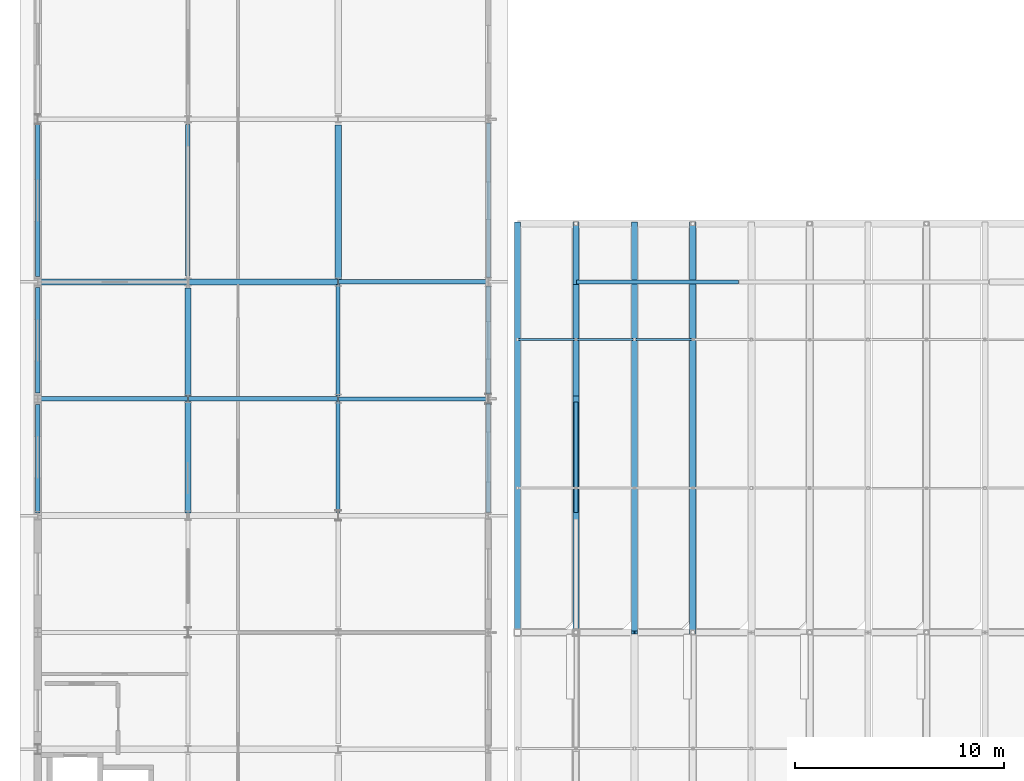
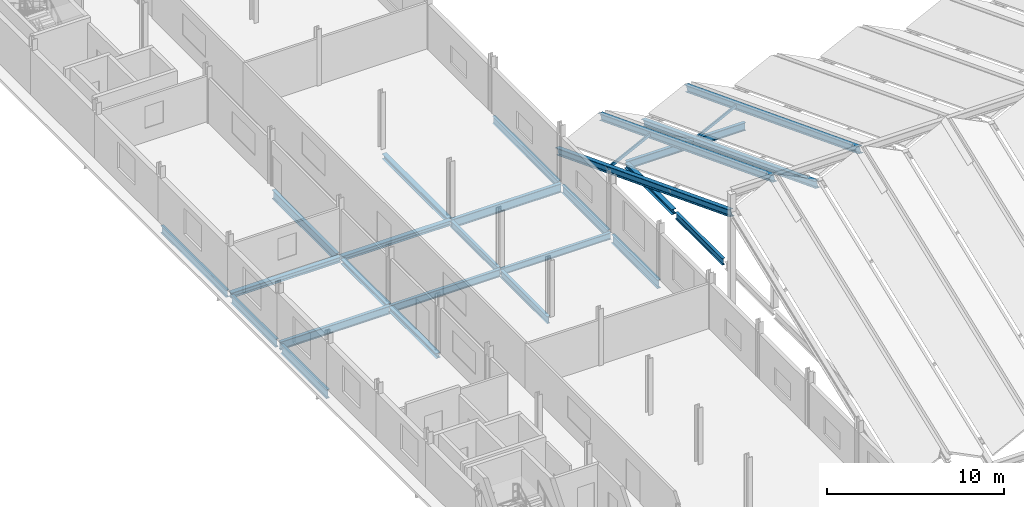
# One storey, part 18 of 49: 25 beams, 3 members.
"""IFC4 building model written with IfcOpenShell, lengths in metres."""

from ifc_helpers import new_model, si_unit, direction, frame, origin, origin_2d, place, context, subcontext, project, spatial, hollow_rectangle, i_section, extrude, material, material_profile, profile_set, type_object, element, save


model = new_model("IFC4")

# Units and contexts
model_context = context("Model", 3, precision=1e-05, world=origin(), true_north=direction((0.0, 1.0)))
body_context = subcontext(model_context, "Body", "Model", "MODEL_VIEW")
ifc_project = project(units=[si_unit("LENGTHUNIT", "METRE"), si_unit("AREAUNIT", "SQUARE_METRE"), si_unit("VOLUMEUNIT", "CUBIC_METRE"), si_unit("PLANEANGLEUNIT", "RADIAN"), si_unit("MASSUNIT", "GRAM", prefix="KILO")], contexts=[model_context])

# Site, building, storey
site_placement = place(None, origin())
site = spatial("IfcSite", under=ifc_project, at=site_placement, CompositionType="ELEMENT")
building_placement = place(site_placement, origin())
building = spatial("IfcBuilding", under=site, at=building_placement, Name="Vinh Khe Railworks Police Headquarters", CompositionType="ELEMENT")
storey_placement = place(building_placement, frame((0.0, 0.0, 17.10009765625)))
storey = spatial("IfcBuildingStorey", under=building, at=storey_placement, Name="L04", CompositionType="ELEMENT", Elevation=17.10009765625)

# Members
ifc_material = material(Name="Steel S355JR", Category="steel")
ifc_material_profile_1 = material_profile(ifc_material, hollow_rectangle(XDim=0.10009765625, YDim=0.179931640625, WallThickness=0.008056640625, at=origin_2d()), Name="RHS 180x100x8")
ifc_profile_set_1 = profile_set([ifc_material_profile_1], Name="Steel S355JR")
member_type_1 = type_object("IfcMemberType", Name="Roof Purlin RHS 180x100x8", PredefinedType="PURLIN", material=ifc_profile_set_1)
member_1_placement = place(storey_placement, frame((29.199951171875, 56.03271484375, 1.947509765625), z_axis=(0.894442788028, 0.0, 0.447182400083), x_axis=(0.0, 1.0, 0.0)))
element("IfcMember", 1, at=member_1_placement, inside=storey, type_object=member_type_1, Name="Folded Roof Purlin 012", PredefinedType="PURLIN", context=body_context, shape_type="SweptSolid", body=[
    extrude(hollow_rectangle(XDim=0.10009765625, YDim=0.179931640625, WallThickness=0.008056640625, at=origin_2d()), origin(), (0.0, 0.0, 1.0), 3.130615234375),
])
ifc_material_profile_2 = material_profile(ifc_material, hollow_rectangle(XDim=0.10009765625, YDim=0.199951171875, WallThickness=0.008056640625, at=origin_2d()), Name="RHS 200x100x8")
ifc_profile_set_2 = profile_set([ifc_material_profile_2], Name="Steel S355JR")
member_type_2 = type_object("IfcMemberType", Name="Roof Purlin RHS 200x100x8", PredefinedType="PURLIN", material=ifc_profile_set_2)
member_2_placement = place(storey_placement, frame((23.60009765625, 56.03271484375, 1.9375), z_axis=(0.894427191, 0.0, 0.4472135955), x_axis=(0.0, 1.0, 0.0)))
element("IfcMember", 2, at=member_2_placement, inside=storey, type_object=member_type_2, Name="Folded Roof Purlin 004", PredefinedType="PURLIN", context=body_context, shape_type="SweptSolid", body=[
    extrude(hollow_rectangle(XDim=0.10009765625, YDim=0.199951171875, WallThickness=0.008056640625, at=origin_2d()), origin(), (0.0, 0.0, 1.0), 3.13037109375),
])
member_3_placement = place(storey_placement, frame((26.39990234375, 56.03271484375, 3.33740234375), z_axis=(0.894442788028, 0.0, -0.447182400083), x_axis=(0.0, 1.0, 0.0)))
element("IfcMember", 3, at=member_3_placement, inside=storey, type_object=member_type_2, Name="Folded Roof Purlin 008", PredefinedType="PURLIN", context=body_context, shape_type="SweptSolid", body=[
    extrude(hollow_rectangle(XDim=0.10009765625, YDim=0.199951171875, WallThickness=0.008056640625, at=origin_2d()), origin(), (0.0, 0.0, 1.0), 3.130615234375),
])

# Beams
ifc_material_profile_3 = material_profile(ifc_material, i_section(OverallWidth=0.300048828125, OverallDepth=0.330078125, WebThickness=0.009521484375, FlangeThickness=0.0166015625, FilletRadius=0.027099609375, at=origin_2d()), Name="HEA 340")
ifc_profile_set_3 = profile_set([ifc_material_profile_3], Name="Steel S355JR")
beam_type_1 = type_object("IfcBeamType", Name="Steel Girder HEA 340", PredefinedType="BEAM", material=ifc_profile_set_3)
beam_1_placement = place(storey_placement, frame((7.820068359375, 58.800048828125, -0.364990234375), z_axis=(1.0, 0.0, 0.0), x_axis=(0.0, 1.0, 0.0)))
element("IfcBeam", 4, at=beam_1_placement, inside=storey, type_object=beam_type_1, Name="Girder BM-L04-EW-SB-16-1310", PredefinedType="BEAM", context=body_context, shape_type="SweptSolid", body=[
    extrude(i_section(OverallWidth=0.300048828125, OverallDepth=0.330078125, WebThickness=0.009521484375, FlangeThickness=0.0166015625, FilletRadius=0.027099609375, at=origin_2d()), origin(), (0.0, 0.0, 1.0), 7.159912109375),
])
beam_2_placement = place(storey_placement, frame((7.800048828125, 53.324951171875, -0.364990234375), z_axis=(0.0, 1.0, 0.0), x_axis=(-1.0, 0.0, 0.0)))
element("IfcBeam", 5, at=beam_2_placement, inside=storey, type_object=beam_type_1, Name="Girder BM-L04-NS-SB-16-1394", PredefinedType="BEAM", context=body_context, shape_type="SweptSolid", body=[
    extrude(i_section(OverallWidth=0.300048828125, OverallDepth=0.330078125, WebThickness=0.009521484375, FlangeThickness=0.0166015625, FilletRadius=0.027099609375, at=origin_2d()), origin(), (0.0, 0.0, 1.0), 5.195068359375),
])
ifc_material_profile_4 = material_profile(ifc_material, i_section(OverallWidth=0.300048828125, OverallDepth=0.35009765625, WebThickness=0.010009765625, FlangeThickness=0.017578125, FilletRadius=0.027099609375, at=origin_2d()), Name="HEA 360")
ifc_profile_set_4 = profile_set([ifc_material_profile_4], Name="Steel S355JR")
beam_type_2 = type_object("IfcBeamType", Name="Steel Girder HEA 360", PredefinedType="BEAM", material=ifc_profile_set_4)
beam_3_placement = place(storey_placement, frame((0.6201171875, 58.800048828125, -0.375), z_axis=(1.0, 0.0, 0.0), x_axis=(0.0, 1.0, 0.0)))
element("IfcBeam", 6, at=beam_3_placement, inside=storey, type_object=beam_type_2, Name="Girder BM-L04-EW-SB-15-1309", PredefinedType="BEAM", context=body_context, shape_type="SweptSolid", body=[
    extrude(i_section(OverallWidth=0.300048828125, OverallDepth=0.35009765625, WebThickness=0.010009765625, FlangeThickness=0.017578125, FilletRadius=0.027099609375, at=origin_2d()), origin(), (0.0, 0.0, 1.0), 7.159912109375),
])
beam_4_placement = place(storey_placement, frame((7.800048828125, 47.735107421875, -0.375), z_axis=(0.0, 1.0, 0.0), x_axis=(-1.0, 0.0, 0.0)))
element("IfcBeam", 7, at=beam_4_placement, inside=storey, type_object=beam_type_2, Name="Girder BM-L04-NS-SB-15-1393", PredefinedType="BEAM", context=body_context, shape_type="SweptSolid", body=[
    extrude(i_section(OverallWidth=0.300048828125, OverallDepth=0.35009765625, WebThickness=0.010009765625, FlangeThickness=0.017578125, FilletRadius=0.027099609375, at=origin_2d()), origin(), (0.0, 0.0, 1.0), 5.33984375),
])
beam_5_placement = place(storey_placement, frame((15.0, 58.925048828125, -0.375), z_axis=(0.0, 1.0, 0.0), x_axis=(-1.0, 0.0, 0.0)))
element("IfcBeam", 8, at=beam_5_placement, inside=storey, type_object=beam_type_2, Name="Girder BM-L04-NS-SB-15-1411", PredefinedType="BEAM", context=body_context, shape_type="SweptSolid", body=[
    extrude(i_section(OverallWidth=0.300048828125, OverallDepth=0.35009765625, WebThickness=0.010009765625, FlangeThickness=0.017578125, FilletRadius=0.027099609375, at=origin_2d()), origin(), (0.0, 0.0, 1.0), 7.39501953125),
])
beam_6_placement = place(storey_placement, frame((26.39990234375, 53.344970703125, -0.375), z_axis=(0.0, 1.0, 0.0), x_axis=(-1.0, 0.0, 0.0)))
element("IfcBeam", 9, at=beam_6_placement, inside=storey, type_object=beam_type_2, Name="Girder BM-L04-NS-SB-15-1441", PredefinedType="BEAM", context=body_context, shape_type="SweptSolid", body=[
    extrude(i_section(OverallWidth=0.300048828125, OverallDepth=0.35009765625, WebThickness=0.010009765625, FlangeThickness=0.017578125, FilletRadius=0.027099609375, at=origin_2d()), origin(), (0.0, 0.0, 1.0), 5.330078125),
])
ifc_material_profile_5 = material_profile(ifc_material, i_section(OverallWidth=0.300048828125, OverallDepth=0.43994140625, WebThickness=0.011474609375, FlangeThickness=0.02099609375, FilletRadius=0.027099609375, at=origin_2d()), Name="HEA 450")
ifc_profile_set_5 = profile_set([ifc_material_profile_5], Name="Steel S355JR")
beam_type_3 = type_object("IfcBeamType", Name="Steel Girder HEA 450", PredefinedType="BEAM", material=ifc_profile_set_5)
for number, where, z_axis, x_axis, name in (
    (10, (26.39990234375, 61.60009765625, 1.208740234375), (0.0, -0.93236035026, 0.361530326893), (1.0, 0.0, 0.0), "Folded Roof Ridge Girder 004 (N)"),
    (11, (32.0, 61.60009765625, 1.208740234375), (0.0, -0.93236035026, 0.361530326893), (1.0, 0.0, 0.0), "Folded Roof Ridge Girder 008 (N)"),
):
    element("IfcBeam", number, at=place(storey_placement, frame(where, z_axis=z_axis, x_axis=x_axis)), inside=storey, type_object=beam_type_3, Name=name, PredefinedType="BEAM", context=body_context, shape_type="SweptSolid", body=[
        extrude(i_section(OverallWidth=0.300048828125, OverallDepth=0.43994140625, WebThickness=0.011474609375, FlangeThickness=0.02099609375, FilletRadius=0.027099609375, at=origin_2d()), origin(), (0.0, 0.0, 1.0), 21.02197265625),
    ])
ifc_material_profile_6 = material_profile(ifc_material, i_section(OverallWidth=0.300048828125, OverallDepth=0.449951171875, WebThickness=0.013916015625, FlangeThickness=0.02587890625, FilletRadius=0.027099609375, at=origin_2d()), Name="HEB 450")
ifc_profile_set_6 = profile_set([ifc_material_profile_6], Name="Steel S355JR")
beam_type_4 = type_object("IfcBeamType", Name="Steel Girder HEB 450", PredefinedType="BEAM", material=ifc_profile_set_6)
for number, where, z_axis, x_axis, name in (
    (12, (23.60009765625, 61.60009765625, -0.191162109375), (0.0, -0.932364264883, 0.361520231204), (1.0, 0.0, 0.0), "Folded Roof Valley Girder 002 (N)"),
    (13, (29.199951171875, 61.60009765625, -0.191162109375), (0.0, -0.932364264883, 0.361520231204), (1.0, 0.0, 0.0), "Folded Roof Valley Girder 006 (N)"),
):
    element("IfcBeam", number, at=place(storey_placement, frame(where, z_axis=z_axis, x_axis=x_axis)), inside=storey, type_object=beam_type_4, Name=name, PredefinedType="BEAM", context=body_context, shape_type="SweptSolid", body=[
        extrude(i_section(OverallWidth=0.300048828125, OverallDepth=0.449951171875, WebThickness=0.013916015625, FlangeThickness=0.02587890625, FilletRadius=0.027099609375, at=origin_2d()), origin(), (0.0, 0.0, 1.0), 21.02197265625),
    ])
ifc_material_profile_7 = material_profile(ifc_material, i_section(OverallWidth=0.18994140625, OverallDepth=0.449951171875, WebThickness=0.009521484375, FlangeThickness=0.0146484375, FilletRadius=0.02099609375, at=origin_2d()), Name="IPE 450")
ifc_profile_set_7 = profile_set([ifc_material_profile_7], Name="Steel S355JR")
beam_type_5 = type_object("IfcBeamType", Name="Steel Girder IPE 450", PredefinedType="BEAM", material=ifc_profile_set_7)
beam_7_placement = place(storey_placement, frame((15.02001953125, 53.199951171875, -0.425048828125), z_axis=(1.0, 0.0, 0.0), x_axis=(0.0, 1.0, 0.0)))
element("IfcBeam", 14, at=beam_7_placement, inside=storey, type_object=beam_type_5, Name="Girder BM-L04-EW-SB-20-1308", PredefinedType="BEAM", context=body_context, shape_type="SweptSolid", body=[
    extrude(i_section(OverallWidth=0.18994140625, OverallDepth=0.449951171875, WebThickness=0.009521484375, FlangeThickness=0.0146484375, FilletRadius=0.02099609375, at=origin_2d()), origin(), (0.0, 0.0, 1.0), 7.159912109375),
])
beam_8_placement = place(storey_placement, frame((15.0, 53.3349609375, -0.425048828125), z_axis=(0.0, 1.0, 0.0), x_axis=(-1.0, 0.0, 0.0)))
element("IfcBeam", 15, at=beam_8_placement, inside=storey, type_object=beam_type_5, Name="Girder BM-L04-NS-SB-20-1410", PredefinedType="BEAM", context=body_context, shape_type="SweptSolid", body=[
    extrude(i_section(OverallWidth=0.18994140625, OverallDepth=0.449951171875, WebThickness=0.009521484375, FlangeThickness=0.0146484375, FilletRadius=0.02099609375, at=origin_2d()), origin(), (0.0, 0.0, 1.0), 5.340087890625),
])
beam_9_placement = place(storey_placement, frame((26.39990234375, 47.7548828125, -0.425048828125), z_axis=(0.0, 1.0, 0.0), x_axis=(-1.0, 0.0, 0.0)))
element("IfcBeam", 16, at=beam_9_placement, inside=storey, type_object=beam_type_5, Name="Girder BM-L04-NS-SB-20-1440", PredefinedType="BEAM", context=body_context, shape_type="SweptSolid", body=[
    extrude(i_section(OverallWidth=0.18994140625, OverallDepth=0.449951171875, WebThickness=0.009521484375, FlangeThickness=0.0146484375, FilletRadius=0.02099609375, at=origin_2d()), origin(), (0.0, 0.0, 1.0), 5.300048828125),
])
ifc_material_profile_8 = material_profile(ifc_material, i_section(OverallWidth=0.199951171875, OverallDepth=0.5, WebThickness=0.01025390625, FlangeThickness=0.01611328125, FilletRadius=0.02099609375, at=origin_2d()), Name="IPE 500")
ifc_profile_set_8 = profile_set([ifc_material_profile_8], Name="Steel S355JR")
beam_type_6 = type_object("IfcBeamType", Name="Steel Girder IPE 500", PredefinedType="BEAM", material=ifc_profile_set_8)
beam_10_placement = place(storey_placement, frame((7.820068359375, 53.199951171875, -0.4501953125), z_axis=(1.0, 0.0, 0.0), x_axis=(0.0, 1.0, 0.0)))
element("IfcBeam", 17, at=beam_10_placement, inside=storey, type_object=beam_type_6, Name="Girder BM-L04-EW-SB-19-1307", PredefinedType="BEAM", context=body_context, shape_type="SweptSolid", body=[
    extrude(i_section(OverallWidth=0.199951171875, OverallDepth=0.5, WebThickness=0.01025390625, FlangeThickness=0.01611328125, FilletRadius=0.02099609375, at=origin_2d()), origin(), (0.0, 0.0, 1.0), 7.159912109375),
])
beam_11_placement = place(storey_placement, frame((0.60009765625, 59.054931640625, -0.4501953125), z_axis=(0.0, 1.0, 0.0), x_axis=(-1.0, 0.0, 0.0)))
element("IfcBeam", 18, at=beam_11_placement, inside=storey, type_object=beam_type_6, Name="Girder BM-L04-NS-SB-19-1379", PredefinedType="BEAM", context=body_context, shape_type="SweptSolid", body=[
    extrude(i_section(OverallWidth=0.199951171875, OverallDepth=0.5, WebThickness=0.01025390625, FlangeThickness=0.01611328125, FilletRadius=0.02099609375, at=origin_2d()), origin(), (0.0, 0.0, 1.0), 7.39501953125),
])
beam_12_placement = place(storey_placement, frame((15.0, 47.75, -0.4501953125), z_axis=(0.0, 1.0, 0.0), x_axis=(-1.0, 0.0, 0.0)))
element("IfcBeam", 19, at=beam_12_placement, inside=storey, type_object=beam_type_6, Name="Girder BM-L04-NS-SB-19-1409", PredefinedType="BEAM", context=body_context, shape_type="SweptSolid", body=[
    extrude(i_section(OverallWidth=0.199951171875, OverallDepth=0.5, WebThickness=0.01025390625, FlangeThickness=0.01611328125, FilletRadius=0.02099609375, at=origin_2d()), origin(), (0.0, 0.0, 1.0), 5.31494140625),
])
beam_13_placement = place(storey_placement, frame((22.199951171875, 59.0048828125, -0.4501953125), z_axis=(0.0, 1.0, 0.0), x_axis=(-1.0, 0.0, 0.0)))
element("IfcBeam", 20, at=beam_13_placement, inside=storey, type_object=beam_type_6, Name="Girder BM-L04-NS-SB-19-1427", PredefinedType="BEAM", context=body_context, shape_type="SweptSolid", body=[
    extrude(i_section(OverallWidth=0.199951171875, OverallDepth=0.5, WebThickness=0.01025390625, FlangeThickness=0.01611328125, FilletRadius=0.02099609375, at=origin_2d()), origin(), (0.0, 0.0, 1.0), 7.4150390625),
])
ifc_material_profile_9 = material_profile(ifc_material, i_section(OverallWidth=0.2099609375, OverallDepth=0.550048828125, WebThickness=0.010986328125, FlangeThickness=0.01708984375, FilletRadius=0.02392578125, at=origin_2d()), Name="IPE 550")
ifc_profile_set_9 = profile_set([ifc_material_profile_9], Name="Steel S355JR")
beam_type_7 = type_object("IfcBeamType", Name="Steel Girder IPE 550", PredefinedType="BEAM", material=ifc_profile_set_9)
beam_14_placement = place(storey_placement, frame((0.6201171875, 53.199951171875, -0.47509765625), z_axis=(1.0, 0.0, 0.0), x_axis=(0.0, 1.0, 0.0)))
element("IfcBeam", 21, at=beam_14_placement, inside=storey, type_object=beam_type_7, Name="Girder BM-L04-EW-SB-18-1306", PredefinedType="BEAM", context=body_context, shape_type="SweptSolid", body=[
    extrude(i_section(OverallWidth=0.2099609375, OverallDepth=0.550048828125, WebThickness=0.010986328125, FlangeThickness=0.01708984375, FilletRadius=0.02392578125, at=origin_2d()), origin(), (0.0, 0.0, 1.0), 7.159912109375),
])
beam_15_placement = place(storey_placement, frame((26.419921875, 58.800048828125, -0.47509765625), z_axis=(1.0, 0.0, 0.0), x_axis=(0.0, 1.0, 0.0)))
element("IfcBeam", 22, at=beam_15_placement, inside=storey, type_object=beam_type_7, Name="Girder BM-L04-EW-SB-18-1312", PredefinedType="BEAM", context=body_context, shape_type="SweptSolid", body=[
    extrude(i_section(OverallWidth=0.2099609375, OverallDepth=0.550048828125, WebThickness=0.010986328125, FlangeThickness=0.01708984375, FilletRadius=0.02392578125, at=origin_2d()), origin(), (0.0, 0.0, 1.0), 7.760009765625),
])
beam_16_placement = place(storey_placement, frame((0.60009765625, 53.47998046875, -0.47509765625), z_axis=(0.0, 1.0, 0.0), x_axis=(-1.0, 0.0, 0.0)))
element("IfcBeam", 23, at=beam_16_placement, inside=storey, type_object=beam_type_7, Name="Girder BM-L04-NS-SB-18-1378", PredefinedType="BEAM", context=body_context, shape_type="SweptSolid", body=[
    extrude(i_section(OverallWidth=0.2099609375, OverallDepth=0.550048828125, WebThickness=0.010986328125, FlangeThickness=0.01708984375, FilletRadius=0.02392578125, at=origin_2d()), origin(), (0.0, 0.0, 1.0), 5.06494140625),
])
beam_17_placement = place(storey_placement, frame((22.199951171875, 53.429931640625, -0.47509765625), z_axis=(0.0, 1.0, 0.0), x_axis=(-1.0, 0.0, 0.0)))
element("IfcBeam", 24, at=beam_17_placement, inside=storey, type_object=beam_type_7, Name="Girder BM-L04-NS-SB-18-1426", PredefinedType="BEAM", context=body_context, shape_type="SweptSolid", body=[
    extrude(i_section(OverallWidth=0.2099609375, OverallDepth=0.550048828125, WebThickness=0.010986328125, FlangeThickness=0.01708984375, FilletRadius=0.02392578125, at=origin_2d()), origin(), (0.0, 0.0, 1.0), 5.1650390625),
])
ifc_material_profile_10 = material_profile(ifc_material, i_section(OverallWidth=0.219970703125, OverallDepth=0.60009765625, WebThickness=0.011962890625, FlangeThickness=0.01904296875, FilletRadius=0.02392578125, at=origin_2d()), Name="IPE 600")
ifc_profile_set_10 = profile_set([ifc_material_profile_10], Name="Steel S355JR")
beam_type_8 = type_object("IfcBeamType", Name="Steel Girder IPE 600", PredefinedType="BEAM", material=ifc_profile_set_10)
beam_18_placement = place(storey_placement, frame((15.02001953125, 58.800048828125, -0.5), z_axis=(1.0, 0.0, 0.0), x_axis=(0.0, 1.0, 0.0)))
element("IfcBeam", 25, at=beam_18_placement, inside=storey, type_object=beam_type_8, Name="Girder BM-L04-EW-SB-17-1311", PredefinedType="BEAM", context=body_context, shape_type="SweptSolid", body=[
    extrude(i_section(OverallWidth=0.219970703125, OverallDepth=0.60009765625, WebThickness=0.011962890625, FlangeThickness=0.01904296875, FilletRadius=0.02392578125, at=origin_2d()), origin(), (0.0, 0.0, 1.0), 7.159912109375),
])
beam_19_placement = place(storey_placement, frame((0.60009765625, 47.72509765625, -0.5), z_axis=(0.0, 1.0, 0.0), x_axis=(-1.0, 0.0, 0.0)))
element("IfcBeam", 26, at=beam_19_placement, inside=storey, type_object=beam_type_8, Name="Girder BM-L04-NS-SB-17-1377", PredefinedType="BEAM", context=body_context, shape_type="SweptSolid", body=[
    extrude(i_section(OverallWidth=0.219970703125, OverallDepth=0.60009765625, WebThickness=0.011962890625, FlangeThickness=0.01904296875, FilletRadius=0.02392578125, at=origin_2d()), origin(), (0.0, 0.0, 1.0), 5.19482421875),
])
beam_20_placement = place(storey_placement, frame((7.800048828125, 59.080078125, -0.5), z_axis=(0.0, 1.0, 0.0), x_axis=(-1.0, 0.0, 0.0)))
element("IfcBeam", 27, at=beam_20_placement, inside=storey, type_object=beam_type_8, Name="Girder BM-L04-NS-SB-17-1395", PredefinedType="BEAM", context=body_context, shape_type="SweptSolid", body=[
    extrude(i_section(OverallWidth=0.219970703125, OverallDepth=0.60009765625, WebThickness=0.011962890625, FlangeThickness=0.01904296875, FilletRadius=0.02392578125, at=origin_2d()), origin(), (0.0, 0.0, 1.0), 7.264892578125),
])
beam_21_placement = place(storey_placement, frame((22.199951171875, 47.75, -0.5), z_axis=(0.0, 1.0, 0.0), x_axis=(-1.0, 0.0, 0.0)))
element("IfcBeam", 28, at=beam_21_placement, inside=storey, type_object=beam_type_8, Name="Girder BM-L04-NS-SB-17-1425", PredefinedType="BEAM", context=body_context, shape_type="SweptSolid", body=[
    extrude(i_section(OverallWidth=0.219970703125, OverallDepth=0.60009765625, WebThickness=0.011962890625, FlangeThickness=0.01904296875, FilletRadius=0.02392578125, at=origin_2d()), origin(), (0.0, 0.0, 1.0), 5.219970703125),
])

save(model, "model.ifc")
